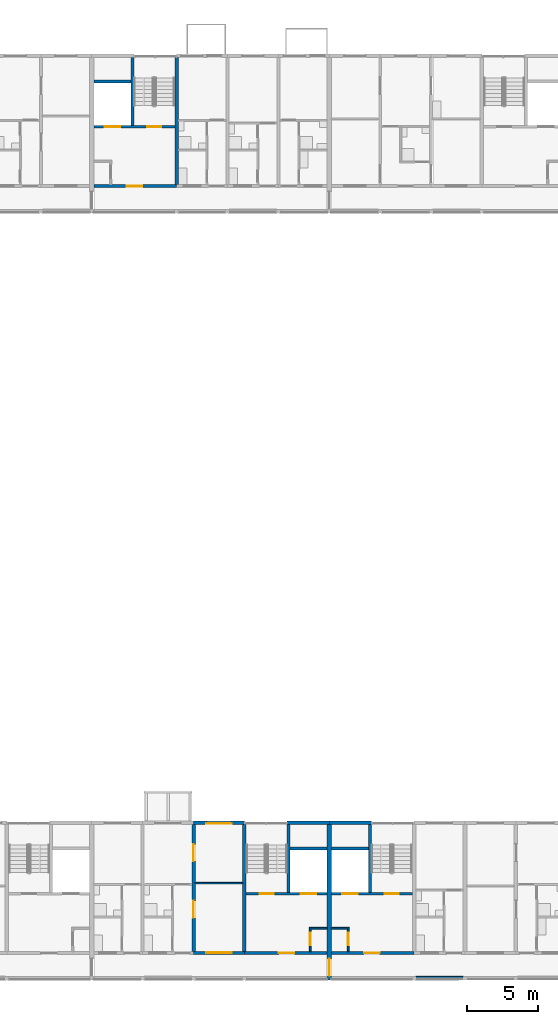
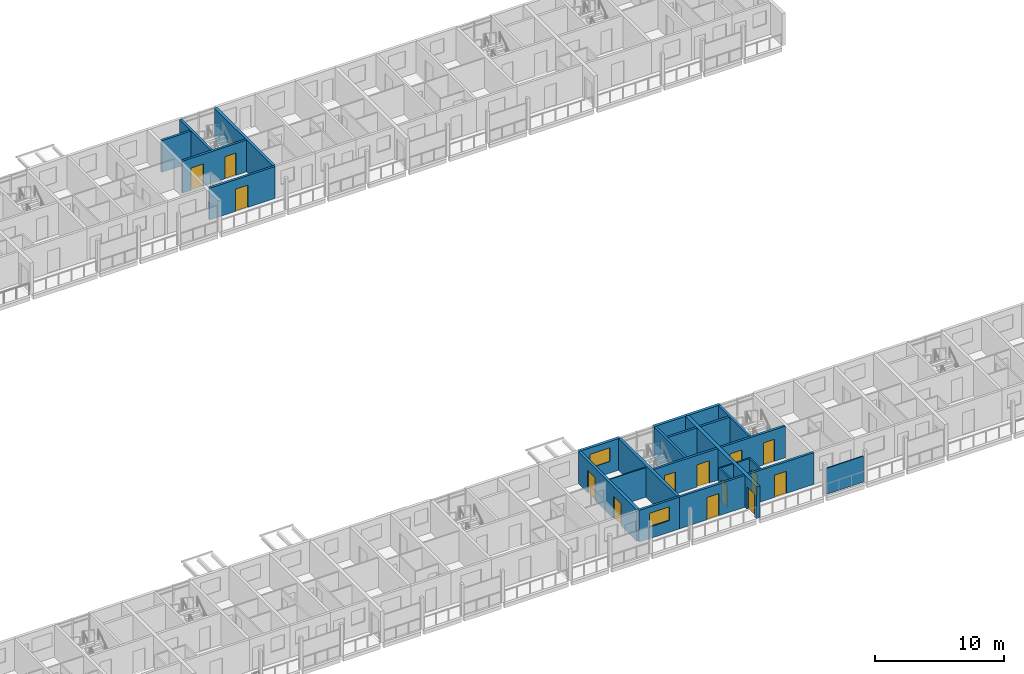
# One storey, part 53 of 98: 26 walls, 14 doors, 2 windows, 16 openings.
"""IFC4 building model written with IfcOpenShell, lengths in metres."""

from ifc_helpers import new_model, si_unit, direction, frame, frame_2d, origin, place, context, subcontext, project, spatial, rectangle, extrude, material, layer, layer_set, type_object, element, fill, save


model = new_model("IFC4")

# Units and contexts
model_context = context("Model", 3, precision=1e-05, world=origin(), true_north=direction((0.0, 1.0)))
body_context = subcontext(model_context, "Body", "Model", "MODEL_VIEW")
ifc_project = project(units=[si_unit("LENGTHUNIT", "METRE"), si_unit("AREAUNIT", "SQUARE_METRE"), si_unit("VOLUMEUNIT", "CUBIC_METRE"), si_unit("PLANEANGLEUNIT", "RADIAN"), si_unit("MASSUNIT", "GRAM", prefix="KILO")], contexts=[model_context])

# Site, building, storey
site_placement = place(None, origin())
site = spatial("IfcSite", under=ifc_project, at=site_placement, CompositionType="ELEMENT")
building_placement = place(site_placement, origin())
building = spatial("IfcBuilding", under=site, at=building_placement, Name="Ridgestep Commons", CompositionType="ELEMENT")
storey_placement = place(building_placement, frame((0.0, 0.0, 12.0)))
storey = spatial("IfcBuildingStorey", under=building, at=storey_placement, Name="L04", CompositionType="ELEMENT", Elevation=12.0)

# Walls
ifc_material_1 = material(Name="Concrete C30/37", Category="concrete")
ifc_layer_1 = layer(ifc_material_1, 0.25)
ifc_layer_set_1 = layer_set([ifc_layer_1], Name="Core cross wall 250")
wall_type_1 = type_object("IfcWallType", Name="Core cross wall 250", PredefinedType="SHEAR", material=ifc_layer_set_1)
for number, where, z_axis, x_axis, name in (
    (1, (203.199951171875, 68.0, 0.0), (0.0, 0.0, 1.0), (0.0, 1.0, 0.0), "Cross wall C-04-2032"),
    (2, (208.0, 13.75, 0.0), (0.0, 0.0, 1.0), (0.0, 1.0, 0.0), "Cross wall D-04-2080"),
):
    element("IfcWall", number, at=place(storey_placement, frame(where, z_axis=z_axis, x_axis=x_axis)), inside=storey, type_object=wall_type_1, Name=name, PredefinedType="SHEAR", context=body_context, shape_type="SweptSolid", body=[
        extrude(rectangle(XDim=9.0, YDim=0.25, at=frame_2d((4.5, 0.0))), origin(), (0.0, 0.0, 1.0), 3.0),
    ])

# Wall, opening, door
ifc_material_2 = material(Name="Concrete C30/37", Category="concrete")
ifc_layer_2 = layer(ifc_material_2, 0.199951171875)
ifc_layer_set_2 = layer_set([ifc_layer_2], Name="Core south wall 200")
wall_type_2 = type_object("IfcWallType", Name="Core south wall 200", PredefinedType="SHEAR", material=ifc_layer_set_2)
wall_1_placement = place(storey_placement, frame((197.35009765625, 67.89990234375, 0.0), z_axis=(0.0, 0.0, 1.0), x_axis=(1.0, 0.0, 0.0)))
wall_1 = element("IfcWall", 3, at=wall_1_placement, inside=storey, type_object=wall_type_2, Name="Core south wall C4C L04", PredefinedType="SHEAR", context=body_context, shape_type="SweptSolid", body=[
    extrude(rectangle(XDim=5.849853515625, YDim=0.199951171875, at=frame_2d((2.9248046875, 0.0))), origin(), (0.0, 0.0, 1.0), 3.0),
])
opening_1_placement = place(wall_1_placement, frame((2.3125, 0.0, 0.0)))
opening_1 = element("IfcOpeningElement", 4, at=opening_1_placement, cuts=wall_1, Name="Opening C4C/04/1", PredefinedType="OPENING", context=body_context, shape_type="SweptSolid", body=[
    extrude(rectangle(XDim=1.10009765625, YDim=2.10009765625, at=frame_2d((0.550048828125, 1.050048828125))), frame((0.0, 0.10986328125, 0.0), z_axis=(0.0, -1.0, 0.0), x_axis=(1.0, 0.0, 0.0)), (0.0, 0.0, 1.0), 0.219970703125),
])
ifc_material_3 = material(Name="Steel fire door", Category="steel")
door_type_1 = type_object("IfcDoorType", Name="Lobby door 1100 x 2100 FD60", OperationType="NOTDEFINED", PredefinedType="DOOR", material=ifc_material_3)
door_1_placement = place(opening_1_placement, origin())
door_1 = element("IfcDoor", 5, at=door_1_placement, inside=storey, type_object=door_type_1, Name="Lobby door C4C/04/1", OperationType="SINGLE_SWING_LEFT", OverallHeight=2.10009765625, OverallWidth=1.10009765625, PredefinedType="DOOR", context=body_context, shape_type="SweptSolid", body=[
    extrude(rectangle(XDim=1.10009765625, YDim=2.10009765625, at=frame_2d((0.550048828125, 1.050048828125))), frame((0.0, 0.02490234375, 0.0), z_axis=(0.0, -1.0, 0.0), x_axis=(1.0, 0.0, 0.0)), (0.0, 0.0, 1.0), 0.050048828125),
])
fill(opening_1, door_1)

wall_2_placement = place(storey_placement, frame((208.0, 13.64990234375, 0.0), z_axis=(0.0, 0.0, 1.0), x_axis=(1.0, 0.0, 0.0)))
wall_2 = element("IfcWall", 6, at=wall_2_placement, inside=storey, type_object=wall_type_2, Name="Core south wall D4C L04", PredefinedType="SHEAR", context=body_context, shape_type="SweptSolid", body=[
    extrude(rectangle(XDim=5.85009765625, YDim=0.199951171875, at=frame_2d((2.925048828125, 0.0))), origin(), (0.0, 0.0, 1.0), 3.0),
])
opening_2_placement = place(wall_2_placement, frame((2.4375, 0.0, 0.0)))
opening_2 = element("IfcOpeningElement", 7, at=opening_2_placement, cuts=wall_2, Name="Opening D4C/04/1", PredefinedType="OPENING", context=body_context, shape_type="SweptSolid", body=[
    extrude(rectangle(XDim=1.10009765625, YDim=2.10009765625, at=frame_2d((0.550048828125, 1.050048828125))), frame((0.0, 0.10986328125, 0.0), z_axis=(0.0, -1.0, 0.0), x_axis=(1.0, 0.0, 0.0)), (0.0, 0.0, 1.0), 0.219970703125),
])
door_2_placement = place(opening_2_placement, origin())
door_2 = element("IfcDoor", 8, at=door_2_placement, inside=storey, type_object=door_type_1, Name="Lobby door D4C/04/1", OperationType="SINGLE_SWING_LEFT", OverallHeight=2.10009765625, OverallWidth=1.10009765625, PredefinedType="DOOR", context=body_context, shape_type="SweptSolid", body=[
    extrude(rectangle(XDim=1.10009765625, YDim=2.10009765625, at=frame_2d((0.550048828125, 1.050048828125))), frame((0.0, 0.02490234375, 0.0), z_axis=(0.0, -1.0, 0.0), x_axis=(1.0, 0.0, 0.0)), (0.0, 0.0, 1.0), 0.050048828125),
])
fill(opening_2, door_2)

wall_3_placement = place(storey_placement, frame((214.14990234375, 13.64990234375, 0.0), z_axis=(0.0, 0.0, 1.0), x_axis=(1.0, 0.0, 0.0)))
wall_3 = element("IfcWall", 9, at=wall_3_placement, inside=storey, type_object=wall_type_2, Name="Core south wall D5C L04", PredefinedType="SHEAR", context=body_context, shape_type="SweptSolid", body=[
    extrude(rectangle(XDim=5.85009765625, YDim=0.199951171875, at=frame_2d((2.925048828125, 0.0))), origin(), (0.0, 0.0, 1.0), 3.0),
])
opening_3_placement = place(wall_3_placement, frame((2.3125, 0.0, 0.0)))
opening_3 = element("IfcOpeningElement", 10, at=opening_3_placement, cuts=wall_3, Name="Opening D5C/04/1", PredefinedType="OPENING", context=body_context, shape_type="SweptSolid", body=[
    extrude(rectangle(XDim=1.10009765625, YDim=2.10009765625, at=frame_2d((0.550048828125, 1.050048828125))), frame((0.0, 0.10986328125, 0.0), z_axis=(0.0, -1.0, 0.0), x_axis=(1.0, 0.0, 0.0)), (0.0, 0.0, 1.0), 0.219970703125),
])
door_3_placement = place(opening_3_placement, origin())
door_3 = element("IfcDoor", 11, at=door_3_placement, inside=storey, type_object=door_type_1, Name="Lobby door D5C/04/1", OperationType="SINGLE_SWING_LEFT", OverallHeight=2.10009765625, OverallWidth=1.10009765625, PredefinedType="DOOR", context=body_context, shape_type="SweptSolid", body=[
    extrude(rectangle(XDim=1.10009765625, YDim=2.10009765625, at=frame_2d((0.550048828125, 1.050048828125))), frame((0.0, 0.02490234375, 0.0), z_axis=(0.0, -1.0, 0.0), x_axis=(1.0, 0.0, 0.0)), (0.0, 0.0, 1.0), 0.050048828125),
])
fill(opening_3, door_3)

ifc_material_4 = material(Name="Concrete C30/37", Category="concrete")
ifc_layer_3 = layer(ifc_material_4, 0.1201171875)
ifc_layer_set_3 = layer_set([ifc_layer_3], Name="Core wall 120")
wall_type_3 = type_object("IfcWallType", Name="Core wall 120", PredefinedType="SHEAR", material=ifc_layer_set_3)
wall_4_placement = place(storey_placement, frame((212.659912109375, 13.75, 0.0), z_axis=(0.0, 0.0, 1.0), x_axis=(0.0, 1.0, 0.0)))
wall_4 = element("IfcWall", 12, at=wall_4_placement, inside=storey, type_object=wall_type_3, Name="Core riser w wall D4C L04", PredefinedType="SHEAR", context=body_context, shape_type="SweptSolid", body=[
    extrude(rectangle(XDim=1.719970703125, YDim=0.1201171875, at=frame_2d((0.85986328125, 0.0))), origin(), (0.0, 0.0, 1.0), 3.0),
])
opening_4_placement = place(wall_4_placement, frame((0.449951171875, 0.0, 0.0)))
opening_4 = element("IfcOpeningElement", 13, at=opening_4_placement, cuts=wall_4, Name="Opening D4C/04/4", PredefinedType="OPENING", context=body_context, shape_type="SweptSolid", body=[
    extrude(rectangle(XDim=0.89990234375, YDim=2.10009765625, at=frame_2d((0.449951171875, 1.050048828125))), frame((0.0, 0.070068359375, 0.0), z_axis=(0.0, -1.0, 0.0), x_axis=(1.0, 0.0, 0.0)), (0.0, 0.0, 1.0), 0.14013671875),
])
ifc_material_5 = material(Name="Steel fire door", Category="steel")
door_type_2 = type_object("IfcDoorType", Name="Riser door 900 x 2100 FD60", OperationType="NOTDEFINED", PredefinedType="DOOR", material=ifc_material_5)
door_4_placement = place(opening_4_placement, origin())
door_4 = element("IfcDoor", 14, at=door_4_placement, inside=storey, type_object=door_type_2, Name="Riser door D4C/04/4", OperationType="SINGLE_SWING_LEFT", OverallHeight=2.10009765625, OverallWidth=0.89990234375, PredefinedType="DOOR", context=body_context, shape_type="SweptSolid", body=[
    extrude(rectangle(XDim=0.89990234375, YDim=2.10009765625, at=frame_2d((0.449951171875, 1.050048828125))), frame((0.0, 0.02490234375, 0.0), z_axis=(0.0, -1.0, 0.0), x_axis=(1.0, 0.0, 0.0)), (0.0, 0.0, 1.0), 0.050048828125),
])
fill(opening_4, door_4)

# Wall
wall_5_placement = place(storey_placement, frame((212.719970703125, 15.409912109375, 0.0), z_axis=(0.0, 0.0, 1.0), x_axis=(1.0, 0.0, 0.0)))
element("IfcWall", 15, at=wall_5_placement, inside=storey, type_object=wall_type_3, Name="Core riser n wall D4C L04", PredefinedType="SHEAR", context=body_context, shape_type="SweptSolid", body=[
    extrude(rectangle(XDim=1.130126953125, YDim=0.1201171875, at=frame_2d((0.56494140625, 0.0))), origin(), (0.0, 0.0, 1.0), 3.0),
])

# Wall, opening, door
wall_6_placement = place(storey_placement, frame((215.340087890625, 13.75, 0.0), z_axis=(0.0, 0.0, 1.0), x_axis=(0.0, 1.0, 0.0)))
wall_6 = element("IfcWall", 16, at=wall_6_placement, inside=storey, type_object=wall_type_3, Name="Core riser w wall D5C L04", PredefinedType="SHEAR", context=body_context, shape_type="SweptSolid", body=[
    extrude(rectangle(XDim=1.719970703125, YDim=0.1201171875, at=frame_2d((0.85986328125, 0.0))), origin(), (0.0, 0.0, 1.0), 3.0),
])
opening_5_placement = place(wall_6_placement, frame((0.449951171875, 0.0, 0.0)))
opening_5 = element("IfcOpeningElement", 17, at=opening_5_placement, cuts=wall_6, Name="Opening D5C/04/4", PredefinedType="OPENING", context=body_context, shape_type="SweptSolid", body=[
    extrude(rectangle(XDim=0.89990234375, YDim=2.10009765625, at=frame_2d((0.449951171875, 1.050048828125))), frame((0.0, 0.070068359375, 0.0), z_axis=(0.0, -1.0, 0.0), x_axis=(1.0, 0.0, 0.0)), (0.0, 0.0, 1.0), 0.14013671875),
])
door_5_placement = place(opening_5_placement, origin())
door_5 = element("IfcDoor", 18, at=door_5_placement, inside=storey, type_object=door_type_2, Name="Riser door D5C/04/4", OperationType="SINGLE_SWING_RIGHT", OverallHeight=2.10009765625, OverallWidth=0.89990234375, PredefinedType="DOOR", context=body_context, shape_type="SweptSolid", body=[
    extrude(rectangle(XDim=0.89990234375, YDim=2.10009765625, at=frame_2d((0.449951171875, 1.050048828125))), frame((0.0, 0.02490234375, 0.0), z_axis=(0.0, -1.0, 0.0), x_axis=(1.0, 0.0, 0.0)), (0.0, 0.0, 1.0), 0.050048828125),
])
fill(opening_5, door_5)

# Wall
wall_7_placement = place(storey_placement, frame((214.14990234375, 15.409912109375, 0.0), z_axis=(0.0, 0.0, 1.0), x_axis=(1.0, 0.0, 0.0)))
element("IfcWall", 19, at=wall_7_placement, inside=storey, type_object=wall_type_3, Name="Core riser n wall D5C L04", PredefinedType="SHEAR", context=body_context, shape_type="SweptSolid", body=[
    extrude(rectangle(XDim=1.130126953125, YDim=0.1201171875, at=frame_2d((0.56494140625, 0.0))), origin(), (0.0, 0.0, 1.0), 3.0),
])

# Wall, openings, doors
ifc_material_6 = material(Name="Concrete C30/37", Category="concrete")
ifc_layer_4 = layer(ifc_material_6, 0.199951171875)
ifc_layer_set_4 = layer_set([ifc_layer_4], Name="Core wall 200")
wall_type_4 = type_object("IfcWallType", Name="Core wall 200", PredefinedType="SHEAR", material=ifc_layer_set_4)
wall_8_placement = place(storey_placement, frame((197.35009765625, 72.10009765625, 0.0), z_axis=(0.0, 0.0, 1.0), x_axis=(1.0, 0.0, 0.0)))
wall_8 = element("IfcWall", 20, at=wall_8_placement, inside=storey, type_object=wall_type_4, Name="Core lobby wall C4C L04", PredefinedType="SHEAR", context=body_context, shape_type="SweptSolid", body=[
    extrude(rectangle(XDim=5.724853515625, YDim=0.199951171875, at=frame_2d((2.8623046875, 0.0))), origin(), (0.0, 0.0, 1.0), 3.0),
])
opening_6_placement = place(wall_8_placement, frame((3.77490234375, 0.0, 0.0)))
opening_6 = element("IfcOpeningElement", 21, at=opening_6_placement, cuts=wall_8, Name="Opening C4C/04/2", PredefinedType="OPENING", context=body_context, shape_type="SweptSolid", body=[
    extrude(rectangle(XDim=1.0, YDim=2.10009765625, at=frame_2d((0.5, 1.050048828125))), frame((0.0, 0.10986328125, 0.0), z_axis=(0.0, -1.0, 0.0), x_axis=(1.0, 0.0, 0.0)), (0.0, 0.0, 1.0), 0.219970703125),
])
opening_7_placement = place(wall_8_placement, frame((0.762451171875, 0.0, 0.0)))
opening_7 = element("IfcOpeningElement", 22, at=opening_7_placement, cuts=wall_8, Name="Opening C4C/04/3", PredefinedType="OPENING", context=body_context, shape_type="SweptSolid", body=[
    extrude(rectangle(XDim=1.10009765625, YDim=2.10009765625, at=frame_2d((0.550048828125, 1.050048828125))), frame((0.0, 0.10986328125, 0.0), z_axis=(0.0, -1.0, 0.0), x_axis=(1.0, 0.0, 0.0)), (0.0, 0.0, 1.0), 0.219970703125),
])
ifc_material_7 = material(Name="Stainless steel", Category="steel")
door_type_3 = type_object("IfcDoorType", Name="Lift landing door 1100 x 2100 FD60", OperationType="DOUBLE_DOOR_SLIDING", PredefinedType="DOOR", material=ifc_material_7)
door_6_placement = place(opening_7_placement, origin())
door_6 = element("IfcDoor", 23, at=door_6_placement, inside=storey, type_object=door_type_3, Name="Landing door LD C4C L04", OperationType="DOUBLE_DOOR_SLIDING", OverallHeight=2.10009765625, OverallWidth=1.10009765625, PredefinedType="DOOR", context=body_context, shape_type="SweptSolid", body=[
    extrude(rectangle(XDim=1.10009765625, YDim=2.10009765625, at=frame_2d((0.550048828125, 1.050048828125))), frame((0.0, 0.02490234375, 0.0), z_axis=(0.0, -1.0, 0.0), x_axis=(1.0, 0.0, 0.0)), (0.0, 0.0, 1.0), 0.050048828125),
])
fill(opening_7, door_6)
ifc_material_8 = material(Name="Steel fire door", Category="steel")
door_type_4 = type_object("IfcDoorType", Name="Stair door 1000 x 2100 FD60", OperationType="NOTDEFINED", PredefinedType="DOOR", material=ifc_material_8)
door_7_placement = place(opening_6_placement, origin())
door_7 = element("IfcDoor", 24, at=door_7_placement, inside=storey, type_object=door_type_4, Name="Stair door C4C/04/2", OperationType="SINGLE_SWING_RIGHT", OverallHeight=2.10009765625, OverallWidth=1.0, PredefinedType="DOOR", context=body_context, shape_type="SweptSolid", body=[
    extrude(rectangle(XDim=1.0, YDim=2.10009765625, at=frame_2d((0.5, 1.050048828125))), frame((0.0, 0.02490234375, 0.0), z_axis=(0.0, -1.0, 0.0), x_axis=(1.0, 0.0, 0.0)), (0.0, 0.0, 1.0), 0.050048828125),
])
fill(opening_6, door_7)

# Walls
wall_9_placement = place(storey_placement, frame((200.074951171875, 72.199951171875, 0.0), z_axis=(0.0, 0.0, 1.0), x_axis=(0.0, 1.0, 0.0)))
element("IfcWall", 25, at=wall_9_placement, inside=storey, type_object=wall_type_4, Name="Core stair wall C4C L04", PredefinedType="SHEAR", context=body_context, shape_type="SweptSolid", body=[
    extrude(rectangle(XDim=4.800048828125, YDim=0.199951171875, at=frame_2d((2.39990234375, 0.0))), origin(), (0.0, 0.0, 1.0), 3.0),
])
wall_10_placement = place(storey_placement, frame((197.35009765625, 75.300048828125, 0.0), z_axis=(0.0, 0.0, 1.0), x_axis=(1.0, 0.0, 0.0)))
element("IfcWall", 26, at=wall_10_placement, inside=storey, type_object=wall_type_4, Name="Core duct wall C4C L04", PredefinedType="SHEAR", context=body_context, shape_type="SweptSolid", body=[
    extrude(rectangle(XDim=2.625, YDim=0.199951171875, at=frame_2d((1.3125, 0.0))), origin(), (0.0, 0.0, 1.0), 3.0),
])

# Wall, openings, doors
wall_11_placement = place(storey_placement, frame((208.125, 17.85009765625, 0.0), z_axis=(0.0, 0.0, 1.0), x_axis=(1.0, 0.0, 0.0)))
wall_11 = element("IfcWall", 27, at=wall_11_placement, inside=storey, type_object=wall_type_4, Name="Core lobby wall D4C L04", PredefinedType="SHEAR", context=body_context, shape_type="SweptSolid", body=[
    extrude(rectangle(XDim=5.72509765625, YDim=0.199951171875, at=frame_2d((2.862548828125, 0.0))), origin(), (0.0, 0.0, 1.0), 3.0),
])
opening_8_placement = place(wall_11_placement, frame((0.949951171875, 0.0, 0.0)))
opening_8 = element("IfcOpeningElement", 28, at=opening_8_placement, cuts=wall_11, Name="Opening D4C/04/2", PredefinedType="OPENING", context=body_context, shape_type="SweptSolid", body=[
    extrude(rectangle(XDim=1.0, YDim=2.10009765625, at=frame_2d((0.5, 1.050048828125))), frame((0.0, 0.10986328125, 0.0), z_axis=(0.0, -1.0, 0.0), x_axis=(1.0, 0.0, 0.0)), (0.0, 0.0, 1.0), 0.219970703125),
])
opening_9_placement = place(wall_11_placement, frame((3.862548828125, 0.0, 0.0)))
opening_9 = element("IfcOpeningElement", 29, at=opening_9_placement, cuts=wall_11, Name="Opening D4C/04/3", PredefinedType="OPENING", context=body_context, shape_type="SweptSolid", body=[
    extrude(rectangle(XDim=1.10009765625, YDim=2.10009765625, at=frame_2d((0.550048828125, 1.050048828125))), frame((0.0, 0.10986328125, 0.0), z_axis=(0.0, -1.0, 0.0), x_axis=(1.0, 0.0, 0.0)), (0.0, 0.0, 1.0), 0.219970703125),
])
door_8_placement = place(opening_9_placement, origin())
door_8 = element("IfcDoor", 30, at=door_8_placement, inside=storey, type_object=door_type_3, Name="Landing door LD D4C L04", OperationType="DOUBLE_DOOR_SLIDING", OverallHeight=2.10009765625, OverallWidth=1.10009765625, PredefinedType="DOOR", context=body_context, shape_type="SweptSolid", body=[
    extrude(rectangle(XDim=1.10009765625, YDim=2.10009765625, at=frame_2d((0.550048828125, 1.050048828125))), frame((0.0, 0.02490234375, 0.0), z_axis=(0.0, -1.0, 0.0), x_axis=(1.0, 0.0, 0.0)), (0.0, 0.0, 1.0), 0.050048828125),
])
fill(opening_9, door_8)
door_9_placement = place(opening_8_placement, origin())
door_9 = element("IfcDoor", 31, at=door_9_placement, inside=storey, type_object=door_type_4, Name="Stair door D4C/04/2", OperationType="SINGLE_SWING_RIGHT", OverallHeight=2.10009765625, OverallWidth=1.0, PredefinedType="DOOR", context=body_context, shape_type="SweptSolid", body=[
    extrude(rectangle(XDim=1.0, YDim=2.10009765625, at=frame_2d((0.5, 1.050048828125))), frame((0.0, 0.02490234375, 0.0), z_axis=(0.0, -1.0, 0.0), x_axis=(1.0, 0.0, 0.0)), (0.0, 0.0, 1.0), 0.050048828125),
])
fill(opening_8, door_9)

# Walls
wall_12_placement = place(storey_placement, frame((211.125, 17.949951171875, 0.0), z_axis=(0.0, 0.0, 1.0), x_axis=(0.0, 1.0, 0.0)))
element("IfcWall", 32, at=wall_12_placement, inside=storey, type_object=wall_type_4, Name="Core stair wall D4C L04", PredefinedType="SHEAR", context=body_context, shape_type="SweptSolid", body=[
    extrude(rectangle(XDim=4.800048828125, YDim=0.199951171875, at=frame_2d((2.39990234375, 0.0))), origin(), (0.0, 0.0, 1.0), 3.0),
])
wall_13_placement = place(storey_placement, frame((211.22509765625, 21.050048828125, 0.0), z_axis=(0.0, 0.0, 1.0), x_axis=(1.0, 0.0, 0.0)))
element("IfcWall", 33, at=wall_13_placement, inside=storey, type_object=wall_type_4, Name="Core duct wall D4C L04", PredefinedType="SHEAR", context=body_context, shape_type="SweptSolid", body=[
    extrude(rectangle(XDim=2.625, YDim=0.199951171875, at=frame_2d((1.3125, 0.0))), origin(), (0.0, 0.0, 1.0), 3.0),
])

# Wall, openings, doors
wall_14_placement = place(storey_placement, frame((214.14990234375, 17.85009765625, 0.0), z_axis=(0.0, 0.0, 1.0), x_axis=(1.0, 0.0, 0.0)))
wall_14 = element("IfcWall", 34, at=wall_14_placement, inside=storey, type_object=wall_type_4, Name="Core lobby wall D5C L04", PredefinedType="SHEAR", context=body_context, shape_type="SweptSolid", body=[
    extrude(rectangle(XDim=5.72509765625, YDim=0.199951171875, at=frame_2d((2.862548828125, 0.0))), origin(), (0.0, 0.0, 1.0), 3.0),
])
opening_10_placement = place(wall_14_placement, frame((3.77490234375, 0.0, 0.0)))
opening_10 = element("IfcOpeningElement", 35, at=opening_10_placement, cuts=wall_14, Name="Opening D5C/04/2", PredefinedType="OPENING", context=body_context, shape_type="SweptSolid", body=[
    extrude(rectangle(XDim=1.0, YDim=2.10009765625, at=frame_2d((0.5, 1.050048828125))), frame((0.0, 0.10986328125, 0.0), z_axis=(0.0, -1.0, 0.0), x_axis=(1.0, 0.0, 0.0)), (0.0, 0.0, 1.0), 0.219970703125),
])
opening_11_placement = place(wall_14_placement, frame((0.762451171875, 0.0, 0.0)))
opening_11 = element("IfcOpeningElement", 36, at=opening_11_placement, cuts=wall_14, Name="Opening D5C/04/3", PredefinedType="OPENING", context=body_context, shape_type="SweptSolid", body=[
    extrude(rectangle(XDim=1.10009765625, YDim=2.10009765625, at=frame_2d((0.550048828125, 1.050048828125))), frame((0.0, 0.10986328125, 0.0), z_axis=(0.0, -1.0, 0.0), x_axis=(1.0, 0.0, 0.0)), (0.0, 0.0, 1.0), 0.219970703125),
])
door_10_placement = place(opening_11_placement, origin())
door_10 = element("IfcDoor", 37, at=door_10_placement, inside=storey, type_object=door_type_3, Name="Landing door LD D5C L04", OperationType="DOUBLE_DOOR_SLIDING", OverallHeight=2.10009765625, OverallWidth=1.10009765625, PredefinedType="DOOR", context=body_context, shape_type="SweptSolid", body=[
    extrude(rectangle(XDim=1.10009765625, YDim=2.10009765625, at=frame_2d((0.550048828125, 1.050048828125))), frame((0.0, 0.02490234375, 0.0), z_axis=(0.0, -1.0, 0.0), x_axis=(1.0, 0.0, 0.0)), (0.0, 0.0, 1.0), 0.050048828125),
])
fill(opening_11, door_10)
door_11_placement = place(opening_10_placement, origin())
door_11 = element("IfcDoor", 38, at=door_11_placement, inside=storey, type_object=door_type_4, Name="Stair door D5C/04/2", OperationType="SINGLE_SWING_RIGHT", OverallHeight=2.10009765625, OverallWidth=1.0, PredefinedType="DOOR", context=body_context, shape_type="SweptSolid", body=[
    extrude(rectangle(XDim=1.0, YDim=2.10009765625, at=frame_2d((0.5, 1.050048828125))), frame((0.0, 0.02490234375, 0.0), z_axis=(0.0, -1.0, 0.0), x_axis=(1.0, 0.0, 0.0)), (0.0, 0.0, 1.0), 0.050048828125),
])
fill(opening_10, door_11)

# Walls
wall_15_placement = place(storey_placement, frame((216.875, 17.949951171875, 0.0), z_axis=(0.0, 0.0, 1.0), x_axis=(0.0, 1.0, 0.0)))
element("IfcWall", 39, at=wall_15_placement, inside=storey, type_object=wall_type_4, Name="Core stair wall D5C L04", PredefinedType="SHEAR", context=body_context, shape_type="SweptSolid", body=[
    extrude(rectangle(XDim=4.800048828125, YDim=0.199951171875, at=frame_2d((2.39990234375, 0.0))), origin(), (0.0, 0.0, 1.0), 3.0),
])
wall_16_placement = place(storey_placement, frame((214.14990234375, 21.050048828125, 0.0), z_axis=(0.0, 0.0, 1.0), x_axis=(1.0, 0.0, 0.0)))
element("IfcWall", 40, at=wall_16_placement, inside=storey, type_object=wall_type_4, Name="Core duct wall D5C L04", PredefinedType="SHEAR", context=body_context, shape_type="SweptSolid", body=[
    extrude(rectangle(XDim=2.625, YDim=0.199951171875, at=frame_2d((1.3125, 0.0))), origin(), (0.0, 0.0, 1.0), 3.0),
])

# Wall, openings, doors
ifc_material_9 = material(Name="Precast concrete C40/50", Category="concrete")
ifc_layer_5 = layer(ifc_material_9, 0.25)
ifc_layer_set_5 = layer_set([ifc_layer_5], Name="Cross wall 250")
wall_type_5 = type_object("IfcWallType", Name="Cross wall 250", PredefinedType="SHEAR", material=ifc_layer_set_5)
wall_17_placement = place(storey_placement, frame((204.39990234375, 13.75, 0.0), z_axis=(0.0, 0.0, 1.0), x_axis=(0.0, 1.0, 0.0)))
wall_17 = element("IfcWall", 41, at=wall_17_placement, inside=storey, type_object=wall_type_5, Name="Cross wall D-04-2044", PredefinedType="SHEAR", context=body_context, shape_type="SweptSolid", body=[
    extrude(rectangle(XDim=9.0, YDim=0.25, at=frame_2d((4.5, 0.0))), origin(), (0.0, 0.0, 1.0), 3.0),
])
opening_12_placement = place(wall_17_placement, frame((2.39990234375, 0.0, 0.0)))
opening_12 = element("IfcOpeningElement", 42, at=opening_12_placement, cuts=wall_17, Name="Opening D4-04b/5", PredefinedType="OPENING", context=body_context, shape_type="SweptSolid", body=[
    extrude(rectangle(XDim=1.199951171875, YDim=2.10009765625, at=frame_2d((0.60009765625, 1.050048828125))), frame((0.0, 0.135009765625, 0.0), z_axis=(0.0, -1.0, 0.0), x_axis=(1.0, 0.0, 0.0)), (0.0, 0.0, 1.0), 0.27001953125),
])
opening_13_placement = place(wall_17_placement, frame((6.39990234375, 0.0, 0.0)))
opening_13 = element("IfcOpeningElement", 43, at=opening_13_placement, cuts=wall_17, Name="Opening D4-04b/6", PredefinedType="OPENING", context=body_context, shape_type="SweptSolid", body=[
    extrude(rectangle(XDim=1.199951171875, YDim=2.10009765625, at=frame_2d((0.60009765625, 1.050048828125))), frame((0.0, 0.135009765625, 0.0), z_axis=(0.0, -1.0, 0.0), x_axis=(1.0, 0.0, 0.0)), (0.0, 0.0, 1.0), 0.27001953125),
])
ifc_material_10 = material(Name="Timber door leaf", Category="wood")
door_type_5 = type_object("IfcDoorType", Name="Double door 1200 x 2100", OperationType="DOUBLE_DOOR_SINGLE_SWING", PredefinedType="DOOR", material=ifc_material_10)
door_12_placement = place(opening_12_placement, origin())
door_12 = element("IfcDoor", 44, at=door_12_placement, inside=storey, type_object=door_type_5, Name="Double door D4-04b/5", OperationType="DOUBLE_DOOR_SINGLE_SWING", OverallHeight=2.10009765625, OverallWidth=1.199951171875, PredefinedType="DOOR", context=body_context, shape_type="SweptSolid", body=[
    extrude(rectangle(XDim=1.199951171875, YDim=2.10009765625, at=frame_2d((0.60009765625, 1.050048828125))), frame((0.0, 0.02490234375, 0.0), z_axis=(0.0, -1.0, 0.0), x_axis=(1.0, 0.0, 0.0)), (0.0, 0.0, 1.0), 0.050048828125),
])
fill(opening_12, door_12)
door_13_placement = place(opening_13_placement, origin())
door_13 = element("IfcDoor", 45, at=door_13_placement, inside=storey, type_object=door_type_5, Name="Double door D4-04b/6", OperationType="DOUBLE_DOOR_SINGLE_SWING", OverallHeight=2.10009765625, OverallWidth=1.199951171875, PredefinedType="DOOR", context=body_context, shape_type="SweptSolid", body=[
    extrude(rectangle(XDim=1.199951171875, YDim=2.10009765625, at=frame_2d((0.60009765625, 1.050048828125))), frame((0.0, 0.02490234375, 0.0), z_axis=(0.0, -1.0, 0.0), x_axis=(1.0, 0.0, 0.0)), (0.0, 0.0, 1.0), 0.050048828125),
])
fill(opening_13, door_13)

# Wall, opening, door
ifc_material_11 = material(Name="Precast concrete C40/50", Category="concrete")
ifc_layer_6 = layer(ifc_material_11, 0.300048828125)
ifc_layer_set_6 = layer_set([ifc_layer_6], Name="Division wall 300")
wall_type_6 = type_object("IfcWallType", Name="Division wall 300", PredefinedType="SHEAR", material=ifc_layer_set_6)
wall_18_placement = place(storey_placement, frame((214.0, 11.75, 0.0), z_axis=(0.0, 0.0, 1.0), x_axis=(0.0, 1.0, 0.0)))
wall_18 = element("IfcWall", 46, at=wall_18_placement, inside=storey, type_object=wall_type_6, Name="Cross wall D-04-2140", PredefinedType="SHEAR", context=body_context, shape_type="SweptSolid", body=[
    extrude(rectangle(XDim=11.0, YDim=0.300048828125, at=frame_2d((5.5, 0.0))), origin(), (0.0, 0.0, 1.0), 3.0),
])
opening_14_placement = place(wall_18_placement, frame((0.300048828125, 0.0, 0.0)))
opening_14 = element("IfcOpeningElement", 47, at=opening_14_placement, cuts=wall_18, Name="Opening D/04/G2140", PredefinedType="OPENING", context=body_context, shape_type="SweptSolid", body=[
    extrude(rectangle(XDim=1.199951171875, YDim=2.10009765625, at=frame_2d((0.60009765625, 1.050048828125))), frame((0.0, 0.159912109375, 0.0), z_axis=(0.0, -1.0, 0.0), x_axis=(1.0, 0.0, 0.0)), (0.0, 0.0, 1.0), 0.320068359375),
])
ifc_material_12 = material(Name="Steel fire door", Category="steel")
door_type_6 = type_object("IfcDoorType", Name="Division fire door 1200 x 2100 EI 240", OperationType="DOUBLE_DOOR_SINGLE_SWING", PredefinedType="DOOR", material=ifc_material_12)
door_14_placement = place(opening_14_placement, origin())
door_14 = element("IfcDoor", 48, at=door_14_placement, inside=storey, type_object=door_type_6, Name="Division fire door D/04/G2140", OperationType="DOUBLE_DOOR_SINGLE_SWING", OverallHeight=2.10009765625, OverallWidth=1.199951171875, PredefinedType="DOOR", context=body_context, shape_type="SweptSolid", body=[
    extrude(rectangle(XDim=1.199951171875, YDim=2.10009765625, at=frame_2d((0.60009765625, 1.050048828125))), frame((0.0, 0.02490234375, 0.0), z_axis=(0.0, -1.0, 0.0), x_axis=(1.0, 0.0, 0.0)), (0.0, 0.0, 1.0), 0.050048828125),
])
fill(opening_14, door_14)

# Wall, opening, window
ifc_material_13 = material(Name="Precast concrete C40/50", Category="concrete")
ifc_layer_7 = layer(ifc_material_13, 0.25)
ifc_layer_set_7 = layer_set([ifc_layer_7], Name="North facade panel 250")
wall_type_7 = type_object("IfcWallType", Name="North facade panel 250", PredefinedType="SOLIDWALL", material=ifc_layer_set_7)
wall_19_placement = place(storey_placement, frame((204.39990234375, 22.875, 0.0), z_axis=(0.0, 0.0, 1.0), x_axis=(1.0, 0.0, 0.0)))
wall_19 = element("IfcWall", 49, at=wall_19_placement, inside=storey, type_object=wall_type_7, Name="North panel D4T3 L04", PredefinedType="SOLIDWALL", context=body_context, shape_type="SweptSolid", body=[
    extrude(rectangle(XDim=3.60009765625, YDim=0.25, at=frame_2d((1.800048828125, 0.0))), origin(), (0.0, 0.0, 1.0), 3.0),
])
opening_15_placement = place(wall_19_placement, frame((0.89990234375, 0.0, 1.10009765625)))
opening_15 = element("IfcOpeningElement", 50, at=opening_15_placement, cuts=wall_19, Name="Opening W18", PredefinedType="OPENING", context=body_context, shape_type="SweptSolid", body=[
    extrude(rectangle(XDim=1.800048828125, YDim=1.300048828125, at=frame_2d((0.89990234375, 0.64990234375))), frame((0.0, 0.135009765625, 0.0), z_axis=(0.0, -1.0, 0.0), x_axis=(1.0, 0.0, 0.0)), (0.0, 0.0, 1.0), 0.27001953125),
])
ifc_material_14 = material(Name="Aluminium 6063-T6 and glass", Category="aluminium")
window_type = type_object("IfcWindowType", Name="Flat window 1800 x 1300", PartitioningType="DOUBLE_PANEL_VERTICAL", PredefinedType="WINDOW", material=ifc_material_14)
window_1_placement = place(opening_15_placement, origin())
window_1 = element("IfcWindow", 51, at=window_1_placement, inside=storey, type_object=window_type, Name="Window D4-04b 2", OverallHeight=1.300048828125, OverallWidth=1.800048828125, PartitioningType="SINGLE_PANEL", PredefinedType="WINDOW", context=body_context, shape_type="SweptSolid", body=[
    extrude(rectangle(XDim=1.800048828125, YDim=1.300048828125, at=frame_2d((0.89990234375, 0.64990234375))), frame((0.0, -0.02490234375, 0.0), z_axis=(0.0, -1.0, 0.0), x_axis=(1.0, 0.0, 0.0)), (0.0, 0.0, 1.0), 0.06005859375),
])
fill(opening_15, window_1)

# Walls
for number, where, z_axis, x_axis, name in (
    (52, (211.02490234375, 22.875, 0.0), (0.0, 0.0, 1.0), (1.0, 0.0, 0.0), "North panel D4C L04"),
    (53, (214.0, 22.875, 0.0), (0.0, 0.0, 1.0), (1.0, 0.0, 0.0), "North panel D5C L04"),
):
    element("IfcWall", number, at=place(storey_placement, frame(where, z_axis=z_axis, x_axis=x_axis)), inside=storey, type_object=wall_type_7, Name=name, PredefinedType="SOLIDWALL", context=body_context, shape_type="SweptSolid", body=[
        extrude(rectangle(XDim=2.97509765625, YDim=0.25, at=frame_2d((1.487548828125, 0.0))), origin(), (0.0, 0.0, 1.0), 3.0),
    ])
ifc_material_15 = material(Name="Common brick 110 mm", Category="masonry")
ifc_layer_8 = layer(ifc_material_15, 0.110107421875)
ifc_layer_set_8 = layer_set([ifc_layer_8], Name="Partition 110")
wall_type_8 = type_object("IfcWallType", Name="Partition 110", PredefinedType="PARTITIONING", material=ifc_layer_set_8)
wall_20_placement = place(storey_placement, frame((204.52490234375, 18.60498046875, 0.0), z_axis=(0.0, 0.0, 1.0), x_axis=(1.0, 0.0, 0.0)))
element("IfcWall", 54, at=wall_20_placement, inside=storey, type_object=wall_type_8, Name="Partition D4-04b", PredefinedType="PARTITIONING", context=body_context, shape_type="SweptSolid", body=[
    extrude(rectangle(XDim=3.35009765625, YDim=0.110107421875, at=frame_2d((1.675048828125, 0.0))), origin(), (0.0, 0.0, 1.0), 2.800048828125),
])
ifc_material_16 = material(Name="Precast concrete C30/37", Category="concrete")
ifc_layer_9 = layer(ifc_material_16, 0.10009765625)
ifc_layer_set_9 = layer_set([ifc_layer_9], Name="Perforated gallery screen 3350 x 2450 x 100")
wall_type_9 = type_object("IfcWallType", Name="Perforated gallery screen 3350 x 2450 x 100", PredefinedType="SOLIDWALL", material=ifc_layer_set_9)
wall_21_placement = place(storey_placement, frame((220.125, 11.949951171875, 0.0), z_axis=(0.0, 0.0, 1.0), x_axis=(1.0, 0.0, 0.0)))
element("IfcWall", 55, at=wall_21_placement, inside=storey, type_object=wall_type_9, Name="Gallery screen D5T3 04", PredefinedType="SOLIDWALL", context=body_context, shape_type="SweptSolid", body=[
    extrude(rectangle(XDim=3.35009765625, YDim=0.10009765625, at=frame_2d((1.675048828125, 0.0))), origin(), (0.0, 0.0, 1.0), 2.449951171875),
])

# Wall, opening, window
ifc_material_17 = material(Name="Precast concrete C40/50", Category="concrete")
ifc_layer_10 = layer(ifc_material_17, 0.199951171875)
ifc_layer_set_10 = layer_set([ifc_layer_10], Name="South facade panel 200")
wall_type_10 = type_object("IfcWallType", Name="South facade panel 200", PredefinedType="SOLIDWALL", material=ifc_layer_set_10)
wall_22_placement = place(storey_placement, frame((204.39990234375, 13.64990234375, 0.0), z_axis=(0.0, 0.0, 1.0), x_axis=(1.0, 0.0, 0.0)))
wall_22 = element("IfcWall", 56, at=wall_22_placement, inside=storey, type_object=wall_type_10, Name="South panel D4T3 L04", PredefinedType="SOLIDWALL", context=body_context, shape_type="SweptSolid", body=[
    extrude(rectangle(XDim=3.60009765625, YDim=0.199951171875, at=frame_2d((1.800048828125, 0.0))), origin(), (0.0, 0.0, 1.0), 3.0),
])
opening_16_placement = place(wall_22_placement, frame((0.89990234375, 0.0, 1.10009765625)))
opening_16 = element("IfcOpeningElement", 57, at=opening_16_placement, cuts=wall_22, Name="Opening W18", PredefinedType="OPENING", context=body_context, shape_type="SweptSolid", body=[
    extrude(rectangle(XDim=1.800048828125, YDim=1.300048828125, at=frame_2d((0.89990234375, 0.64990234375))), frame((0.0, 0.10986328125, 0.0), z_axis=(0.0, -1.0, 0.0), x_axis=(1.0, 0.0, 0.0)), (0.0, 0.0, 1.0), 0.219970703125),
])
window_2_placement = place(opening_16_placement, origin())
window_2 = element("IfcWindow", 58, at=window_2_placement, inside=storey, type_object=window_type, Name="Window D4-04b 1", OverallHeight=1.300048828125, OverallWidth=1.800048828125, PartitioningType="SINGLE_PANEL", PredefinedType="WINDOW", context=body_context, shape_type="SweptSolid", body=[
    extrude(rectangle(XDim=1.800048828125, YDim=1.300048828125, at=frame_2d((0.89990234375, 0.64990234375))), frame((0.0, 0.06005859375, 0.0), z_axis=(0.0, -1.0, 0.0), x_axis=(1.0, 0.0, 0.0)), (0.0, 0.0, 1.0), 0.06005859375),
])
fill(opening_16, window_2)

save(model, "model.ifc")
